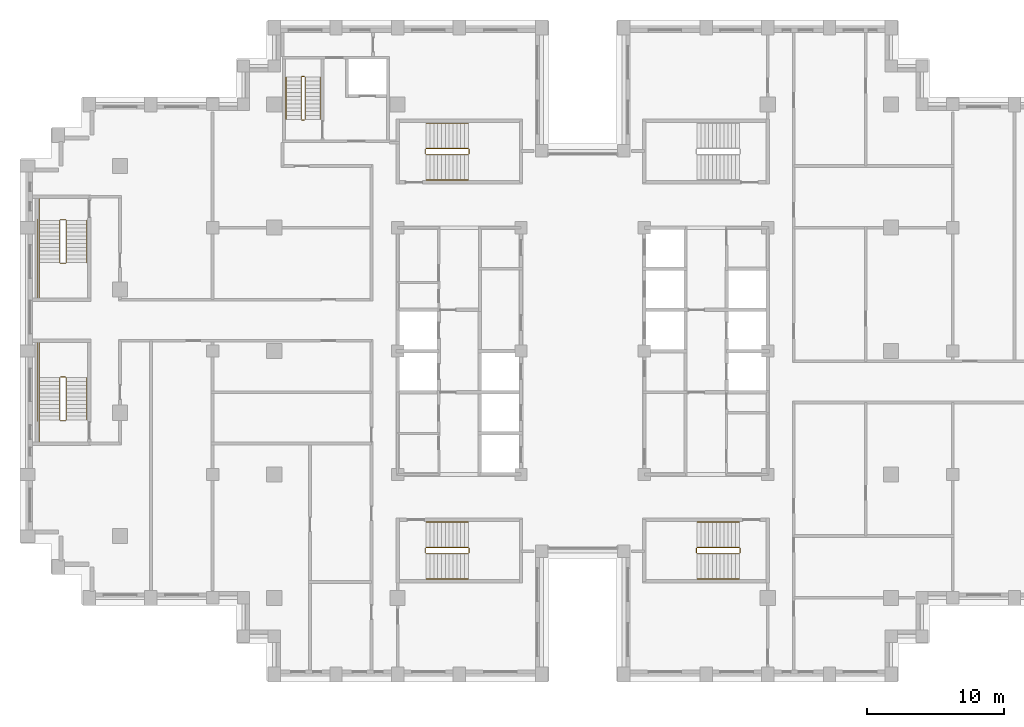
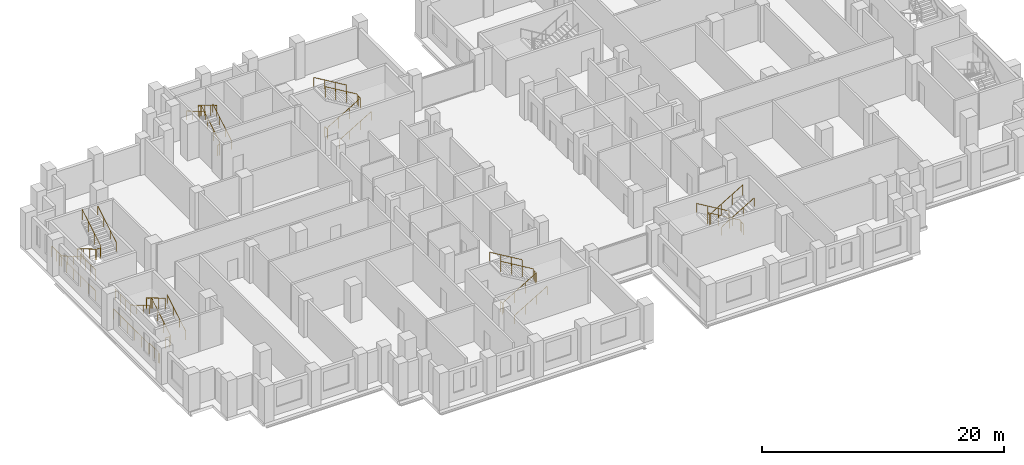
# One storey, part 14 of 15: 6 railings.
"""IFC4 building model written with IfcOpenShell, lengths in metres."""

from ifc_helpers import new_model, si_unit, direction, frame, origin, origin_2d, place, context, subcontext, project, spatial, circle, extrude, material, type_object, element, save


model = new_model("IFC4")

# Units and contexts
model_context = context("Model", 3, precision=1e-05, world=origin(), true_north=direction((0.0, 1.0)))
body_context = subcontext(model_context, "Body", "Model", "MODEL_VIEW")
ifc_project = project(units=[si_unit("LENGTHUNIT", "METRE"), si_unit("AREAUNIT", "SQUARE_METRE"), si_unit("VOLUMEUNIT", "CUBIC_METRE"), si_unit("PLANEANGLEUNIT", "RADIAN"), si_unit("MASSUNIT", "GRAM", prefix="KILO")], contexts=[model_context])

# Site, building, storey
site_placement = place(None, origin())
site = spatial("IfcSite", under=ifc_project, at=site_placement, CompositionType="ELEMENT")
building_placement = place(site_placement, origin())
building = spatial("IfcBuilding", under=site, at=building_placement, Name="Corbelhall Arena Tower", CompositionType="ELEMENT")
storey_placement = place(building_placement, frame((0.0, 0.0, 130.0)))
storey = spatial("IfcBuildingStorey", under=building, at=storey_placement, Name="L24", CompositionType="ELEMENT", Elevation=130.0)

# Railings
ifc_material = material(Name="Steel ASTM A500 Gr C", Category="steel")
railing_type = type_object("IfcRailingType", Name="IN-GD-1100", PredefinedType="GUARDRAIL", material=ifc_material)
railing_1_placement = place(storey_placement, frame((-11.425048828125, 14.324951171875, 0.166748046875)))
element("IfcRailing", 1, at=railing_1_placement, inside=storey, type_object=railing_type, Name="L24 ST1 stair guards and handrails", PredefinedType="GUARDRAIL", context=body_context, shape_type="SweptSolid", body=[
    extrude(circle(Radius=0.02392578125, at=origin_2d()), frame((0.0, 0.0, 1.076171875), z_axis=(0.859308565015, 0.0, 0.511457515432), x_axis=(0.0, 1.0, 0.0)), (0.0, 0.0, 1.0), 3.58447265625),
    extrude(circle(Radius=0.02392578125, at=origin_2d()), frame((3.130126953125, 0.050048828125, 2.9091796875), z_axis=(0.0, 1.0, 0.0), x_axis=(-1.0, 0.0, 0.0)), (0.0, 0.0, 1.0), 0.35009765625),
    extrude(circle(Radius=0.02392578125, at=origin_2d()), frame((3.080078125, 0.449951171875, 3.076171875), z_axis=(-0.859308565015, 0.0, 0.511457515432), x_axis=(0.0, -1.0, 0.0)), (0.0, 0.0, 1.0), 3.58447265625),
    extrude(circle(Radius=0.02392578125, at=origin_2d()), frame((-0.050048828125, 0.050048828125, 0.9091796875), z_axis=(0.0, 1.0, 0.0), x_axis=(-1.0, 0.0, 0.0)), (0.0, 0.0, 1.0), 0.35009765625),
    extrude(circle(Radius=0.02392578125, at=origin_2d()), frame((0.0, -1.849853515625, 0.8759765625), z_axis=(0.859308565015, 0.0, 0.511457515432), x_axis=(0.0, 1.0, 0.0)), (0.0, 0.0, 1.0), 3.58447265625),
    extrude(circle(Radius=0.02392578125, at=origin_2d()), frame((3.080078125, 2.300048828125, 2.8759765625), z_axis=(-0.859308565015, 0.0, 0.511457515432), x_axis=(0.0, -1.0, 0.0)), (0.0, 0.0, 1.0), 3.58447265625),
    extrude(circle(Radius=0.02099609375, at=origin_2d()), origin(), (0.0, 0.0, 1.0), 1.052001953125),
    extrude(circle(Radius=0.02099609375, at=origin_2d()), frame((1.026611328125, 0.0, 0.611083984375)), (0.0, 0.0, 1.0), 1.052001953125),
    extrude(circle(Radius=0.02099609375, at=origin_2d()), frame((2.053466796875, 0.0, 1.22216796875)), (0.0, 0.0, 1.0), 1.052001953125),
    extrude(circle(Radius=0.02099609375, at=origin_2d()), frame((3.080078125, 0.0, 1.833251953125)), (0.0, 0.0, 1.0), 1.052001953125),
    extrude(circle(Radius=0.02099609375, at=origin_2d()), frame((3.130126953125, 0.050048828125, 1.833251953125)), (0.0, 0.0, 1.0), 1.052001953125),
    extrude(circle(Radius=0.02099609375, at=origin_2d()), frame((3.130126953125, 0.400146484375, 1.833251953125)), (0.0, 0.0, 1.0), 1.052001953125),
    extrude(circle(Radius=0.02099609375, at=origin_2d()), frame((3.080078125, 0.449951171875, 2.0)), (0.0, 0.0, 1.0), 1.052001953125),
    extrude(circle(Radius=0.02099609375, at=origin_2d()), frame((2.053466796875, 0.449951171875, 2.611083984375)), (0.0, 0.0, 1.0), 1.052001953125),
    extrude(circle(Radius=0.02099609375, at=origin_2d()), frame((1.026611328125, 0.449951171875, 3.22216796875)), (0.0, 0.0, 1.0), 1.052001953125),
    extrude(circle(Radius=0.02099609375, at=origin_2d()), frame((0.0, 0.449951171875, 3.833251953125)), (0.0, 0.0, 1.0), 1.052001953125),
    extrude(circle(Radius=0.02099609375, at=origin_2d()), frame((-0.050048828125, 0.050048828125, -0.166748046875)), (0.0, 0.0, 1.0), 1.052001953125),
    extrude(circle(Radius=0.02099609375, at=origin_2d()), frame((-0.050048828125, 0.400146484375, -0.166748046875)), (0.0, 0.0, 1.0), 1.052001953125),
    extrude(circle(Radius=0.02099609375, at=origin_2d()), frame((0.0, -1.849853515625, 0.0)), (0.0, 0.0, 1.0), 0.851806640625),
    extrude(circle(Radius=0.02099609375, at=origin_2d()), frame((1.026611328125, -1.849853515625, 0.611083984375)), (0.0, 0.0, 1.0), 0.851806640625),
    extrude(circle(Radius=0.02099609375, at=origin_2d()), frame((2.053466796875, -1.849853515625, 1.22216796875)), (0.0, 0.0, 1.0), 0.851806640625),
    extrude(circle(Radius=0.02099609375, at=origin_2d()), frame((3.080078125, -1.849853515625, 1.833251953125)), (0.0, 0.0, 1.0), 0.851806640625),
    extrude(circle(Radius=0.02099609375, at=origin_2d()), frame((3.080078125, 2.300048828125, 2.0)), (0.0, 0.0, 1.0), 0.851806640625),
    extrude(circle(Radius=0.02099609375, at=origin_2d()), frame((2.053466796875, 2.300048828125, 2.611083984375)), (0.0, 0.0, 1.0), 0.851806640625),
    extrude(circle(Radius=0.02099609375, at=origin_2d()), frame((1.026611328125, 2.300048828125, 3.22216796875)), (0.0, 0.0, 1.0), 0.851806640625),
    extrude(circle(Radius=0.02099609375, at=origin_2d()), frame((0.0, 2.300048828125, 3.833251953125)), (0.0, 0.0, 1.0), 0.851806640625),
])
railing_2_placement = place(storey_placement, frame((-11.425048828125, -14.77490234375, 0.166748046875)))
element("IfcRailing", 2, at=railing_2_placement, inside=storey, type_object=railing_type, Name="L24 ST2 stair guards and handrails", PredefinedType="GUARDRAIL", context=body_context, shape_type="SweptSolid", body=[
    extrude(circle(Radius=0.02392578125, at=origin_2d()), frame((0.0, 0.0, 1.076171875), z_axis=(0.859308565015, 0.0, 0.511457515432), x_axis=(0.0, 1.0, 0.0)), (0.0, 0.0, 1.0), 3.58447265625),
    extrude(circle(Radius=0.02392578125, at=origin_2d()), frame((3.130126953125, 0.0498046875, 2.9091796875), z_axis=(0.0, 1.0, 0.0), x_axis=(-1.0, 0.0, 0.0)), (0.0, 0.0, 1.0), 0.35009765625),
    extrude(circle(Radius=0.02392578125, at=origin_2d()), frame((3.080078125, 0.449951171875, 3.076171875), z_axis=(-0.859308565015, 0.0, 0.511457515432), x_axis=(0.0, -1.0, 0.0)), (0.0, 0.0, 1.0), 3.58447265625),
    extrude(circle(Radius=0.02392578125, at=origin_2d()), frame((-0.050048828125, 0.0498046875, 0.9091796875), z_axis=(0.0, 1.0, 0.0), x_axis=(-1.0, 0.0, 0.0)), (0.0, 0.0, 1.0), 0.35009765625),
    extrude(circle(Radius=0.02392578125, at=origin_2d()), frame((0.0, -1.85009765625, 0.8759765625), z_axis=(0.859308565015, 0.0, 0.511457515432), x_axis=(0.0, 1.0, 0.0)), (0.0, 0.0, 1.0), 3.58447265625),
    extrude(circle(Radius=0.02392578125, at=origin_2d()), frame((3.080078125, 2.2998046875, 2.8759765625), z_axis=(-0.859308565015, 0.0, 0.511457515432), x_axis=(0.0, -1.0, 0.0)), (0.0, 0.0, 1.0), 3.58447265625),
    extrude(circle(Radius=0.02099609375, at=origin_2d()), origin(), (0.0, 0.0, 1.0), 1.052001953125),
    extrude(circle(Radius=0.02099609375, at=origin_2d()), frame((1.026611328125, 0.0, 0.611083984375)), (0.0, 0.0, 1.0), 1.052001953125),
    extrude(circle(Radius=0.02099609375, at=origin_2d()), frame((2.053466796875, 0.0, 1.22216796875)), (0.0, 0.0, 1.0), 1.052001953125),
    extrude(circle(Radius=0.02099609375, at=origin_2d()), frame((3.080078125, 0.0, 1.833251953125)), (0.0, 0.0, 1.0), 1.052001953125),
    extrude(circle(Radius=0.02099609375, at=origin_2d()), frame((3.130126953125, 0.0498046875, 1.833251953125)), (0.0, 0.0, 1.0), 1.052001953125),
    extrude(circle(Radius=0.02099609375, at=origin_2d()), frame((3.130126953125, 0.39990234375, 1.833251953125)), (0.0, 0.0, 1.0), 1.052001953125),
    extrude(circle(Radius=0.02099609375, at=origin_2d()), frame((3.080078125, 0.449951171875, 2.0)), (0.0, 0.0, 1.0), 1.052001953125),
    extrude(circle(Radius=0.02099609375, at=origin_2d()), frame((2.053466796875, 0.449951171875, 2.611083984375)), (0.0, 0.0, 1.0), 1.052001953125),
    extrude(circle(Radius=0.02099609375, at=origin_2d()), frame((1.026611328125, 0.449951171875, 3.22216796875)), (0.0, 0.0, 1.0), 1.052001953125),
    extrude(circle(Radius=0.02099609375, at=origin_2d()), frame((0.0, 0.449951171875, 3.833251953125)), (0.0, 0.0, 1.0), 1.052001953125),
    extrude(circle(Radius=0.02099609375, at=origin_2d()), frame((-0.050048828125, 0.0498046875, -0.166748046875)), (0.0, 0.0, 1.0), 1.052001953125),
    extrude(circle(Radius=0.02099609375, at=origin_2d()), frame((-0.050048828125, 0.39990234375, -0.166748046875)), (0.0, 0.0, 1.0), 1.052001953125),
    extrude(circle(Radius=0.02099609375, at=origin_2d()), frame((0.0, -1.85009765625, 0.0)), (0.0, 0.0, 1.0), 0.851806640625),
    extrude(circle(Radius=0.02099609375, at=origin_2d()), frame((1.026611328125, -1.85009765625, 0.611083984375)), (0.0, 0.0, 1.0), 0.851806640625),
    extrude(circle(Radius=0.02099609375, at=origin_2d()), frame((2.053466796875, -1.85009765625, 1.22216796875)), (0.0, 0.0, 1.0), 0.851806640625),
    extrude(circle(Radius=0.02099609375, at=origin_2d()), frame((3.080078125, -1.85009765625, 1.833251953125)), (0.0, 0.0, 1.0), 0.851806640625),
    extrude(circle(Radius=0.02099609375, at=origin_2d()), frame((3.080078125, 2.2998046875, 2.0)), (0.0, 0.0, 1.0), 0.851806640625),
    extrude(circle(Radius=0.02099609375, at=origin_2d()), frame((2.053466796875, 2.2998046875, 2.611083984375)), (0.0, 0.0, 1.0), 0.851806640625),
    extrude(circle(Radius=0.02099609375, at=origin_2d()), frame((1.026611328125, 2.2998046875, 3.22216796875)), (0.0, 0.0, 1.0), 0.851806640625),
    extrude(circle(Radius=0.02099609375, at=origin_2d()), frame((0.0, 2.2998046875, 3.833251953125)), (0.0, 0.0, 1.0), 0.851806640625),
])
railing_3_placement = place(storey_placement, frame((11.425048828125, -14.324951171875, 0.166748046875)))
element("IfcRailing", 3, at=railing_3_placement, inside=storey, type_object=railing_type, Name="L24 ST4 stair guards and handrails", PredefinedType="GUARDRAIL", context=body_context, shape_type="SweptSolid", body=[
    extrude(circle(Radius=0.02392578125, at=origin_2d()), frame((0.0, 0.0, 1.076171875), z_axis=(-0.859308565015, 0.0, 0.511457515432), x_axis=(0.0, -1.0, 0.0)), (0.0, 0.0, 1.0), 3.58447265625),
    extrude(circle(Radius=0.02392578125, at=origin_2d()), frame((-3.130126953125, -0.050048828125, 2.9091796875), z_axis=(0.0, -1.0, 0.0), x_axis=(1.0, 0.0, 0.0)), (0.0, 0.0, 1.0), 0.35009765625),
    extrude(circle(Radius=0.02392578125, at=origin_2d()), frame((-3.080078125, -0.449951171875, 3.076171875), z_axis=(0.859308565015, 0.0, 0.511457515432), x_axis=(0.0, 1.0, 0.0)), (0.0, 0.0, 1.0), 3.58447265625),
    extrude(circle(Radius=0.02392578125, at=origin_2d()), frame((0.050048828125, -0.050048828125, 0.9091796875), z_axis=(0.0, -1.0, 0.0), x_axis=(1.0, 0.0, 0.0)), (0.0, 0.0, 1.0), 0.35009765625),
    extrude(circle(Radius=0.02392578125, at=origin_2d()), frame((0.0, 1.849853515625, 0.8759765625), z_axis=(-0.859308565015, 0.0, 0.511457515432), x_axis=(0.0, -1.0, 0.0)), (0.0, 0.0, 1.0), 3.58447265625),
    extrude(circle(Radius=0.02392578125, at=origin_2d()), frame((-3.080078125, -2.300048828125, 2.8759765625), z_axis=(0.859308565015, 0.0, 0.511457515432), x_axis=(0.0, 1.0, 0.0)), (0.0, 0.0, 1.0), 3.58447265625),
    extrude(circle(Radius=0.02099609375, at=origin_2d()), origin(), (0.0, 0.0, 1.0), 1.052001953125),
    extrude(circle(Radius=0.02099609375, at=origin_2d()), frame((-1.026611328125, 0.0, 0.611083984375)), (0.0, 0.0, 1.0), 1.052001953125),
    extrude(circle(Radius=0.02099609375, at=origin_2d()), frame((-2.053466796875, 0.0, 1.22216796875)), (0.0, 0.0, 1.0), 1.052001953125),
    extrude(circle(Radius=0.02099609375, at=origin_2d()), frame((-3.080078125, 0.0, 1.833251953125)), (0.0, 0.0, 1.0), 1.052001953125),
    extrude(circle(Radius=0.02099609375, at=origin_2d()), frame((-3.130126953125, -0.050048828125, 1.833251953125)), (0.0, 0.0, 1.0), 1.052001953125),
    extrude(circle(Radius=0.02099609375, at=origin_2d()), frame((-3.130126953125, -0.400146484375, 1.833251953125)), (0.0, 0.0, 1.0), 1.052001953125),
    extrude(circle(Radius=0.02099609375, at=origin_2d()), frame((-3.080078125, -0.449951171875, 2.0)), (0.0, 0.0, 1.0), 1.052001953125),
    extrude(circle(Radius=0.02099609375, at=origin_2d()), frame((-2.053466796875, -0.449951171875, 2.611083984375)), (0.0, 0.0, 1.0), 1.052001953125),
    extrude(circle(Radius=0.02099609375, at=origin_2d()), frame((-1.026611328125, -0.449951171875, 3.22216796875)), (0.0, 0.0, 1.0), 1.052001953125),
    extrude(circle(Radius=0.02099609375, at=origin_2d()), frame((0.0, -0.449951171875, 3.833251953125)), (0.0, 0.0, 1.0), 1.052001953125),
    extrude(circle(Radius=0.02099609375, at=origin_2d()), frame((0.050048828125, -0.050048828125, -0.166748046875)), (0.0, 0.0, 1.0), 1.052001953125),
    extrude(circle(Radius=0.02099609375, at=origin_2d()), frame((0.050048828125, -0.400146484375, -0.166748046875)), (0.0, 0.0, 1.0), 1.052001953125),
    extrude(circle(Radius=0.02099609375, at=origin_2d()), frame((0.0, 1.849853515625, 0.0)), (0.0, 0.0, 1.0), 0.851806640625),
    extrude(circle(Radius=0.02099609375, at=origin_2d()), frame((-1.026611328125, 1.849853515625, 0.611083984375)), (0.0, 0.0, 1.0), 0.851806640625),
    extrude(circle(Radius=0.02099609375, at=origin_2d()), frame((-2.053466796875, 1.849853515625, 1.22216796875)), (0.0, 0.0, 1.0), 0.851806640625),
    extrude(circle(Radius=0.02099609375, at=origin_2d()), frame((-3.080078125, 1.849853515625, 1.833251953125)), (0.0, 0.0, 1.0), 0.851806640625),
    extrude(circle(Radius=0.02099609375, at=origin_2d()), frame((-3.080078125, -2.300048828125, 2.0)), (0.0, 0.0, 1.0), 0.851806640625),
    extrude(circle(Radius=0.02099609375, at=origin_2d()), frame((-2.053466796875, -2.300048828125, 2.611083984375)), (0.0, 0.0, 1.0), 0.851806640625),
    extrude(circle(Radius=0.02099609375, at=origin_2d()), frame((-1.026611328125, -2.300048828125, 3.22216796875)), (0.0, 0.0, 1.0), 0.851806640625),
    extrude(circle(Radius=0.02099609375, at=origin_2d()), frame((0.0, -2.300048828125, 3.833251953125)), (0.0, 0.0, 1.0), 0.851806640625),
])
railing_4_placement = place(storey_placement, frame((-38.14990234375, 9.52490234375, 0.166748046875)))
element("IfcRailing", 4, at=railing_4_placement, inside=storey, type_object=railing_type, Name="L24 SC1 stair guards and handrails", PredefinedType="GUARDRAIL", context=body_context, shape_type="SweptSolid", body=[
    extrude(circle(Radius=0.02392578125, at=origin_2d()), frame((0.0, 0.0, 1.076171875), z_axis=(0.0, -0.859290745958, 0.51148745235), x_axis=(1.0, 0.0, 0.0)), (0.0, 0.0, 1.0), 3.584228515625),
    extrude(circle(Radius=0.02392578125, at=origin_2d()), frame((0.0498046875, -3.1298828125, 2.9091796875), z_axis=(1.0, 0.0, 0.0), x_axis=(0.0, 1.0, 0.0)), (0.0, 0.0, 1.0), 0.375),
    extrude(circle(Radius=0.02392578125, at=origin_2d()), frame((-1.5, -3.079833984375, 2.9091796875), z_axis=(0.0, -1.0, 0.0), x_axis=(1.0, 0.0, 0.0)), (0.0, 0.0, 1.0), 2.570068359375),
    extrude(circle(Radius=0.02392578125, at=origin_2d()), frame((0.474853515625, -3.079833984375, 3.076171875), z_axis=(0.0, 0.859290745958, 0.51148745235), x_axis=(-1.0, 0.0, 0.0)), (0.0, 0.0, 1.0), 3.584228515625),
    extrude(circle(Radius=0.02392578125, at=origin_2d()), frame((0.0498046875, 0.050048828125, 0.9091796875), z_axis=(1.0, 0.0, 0.0), x_axis=(0.0, 1.0, 0.0)), (0.0, 0.0, 1.0), 0.375),
    extrude(circle(Radius=0.02392578125, at=origin_2d()), frame((-1.5, 1.60009765625, 0.9091796875), z_axis=(0.0, -1.0, 0.0), x_axis=(1.0, 0.0, 0.0)), (0.0, 0.0, 1.0), 1.60009765625),
    extrude(circle(Radius=0.02392578125, at=origin_2d()), frame((-1.60009765625, 0.10009765625, 0.9091796875), z_axis=(0.0, -1.0, 0.0), x_axis=(1.0, 0.0, 0.0)), (0.0, 0.0, 1.0), 5.85009765625),
    extrude(circle(Radius=0.02392578125, at=origin_2d()), frame((-1.5, 0.0, 0.8759765625), z_axis=(0.0, -0.859290745958, 0.51148745235), x_axis=(1.0, 0.0, 0.0)), (0.0, 0.0, 1.0), 3.584228515625),
    extrude(circle(Radius=0.02392578125, at=origin_2d()), frame((1.974853515625, -3.079833984375, 2.8759765625), z_axis=(0.0, 0.859290745958, 0.51148745235), x_axis=(-1.0, 0.0, 0.0)), (0.0, 0.0, 1.0), 3.584228515625),
    extrude(circle(Radius=0.02099609375, at=origin_2d()), origin(), (0.0, 0.0, 1.0), 1.052001953125),
    extrude(circle(Radius=0.02099609375, at=origin_2d()), frame((0.0, -1.026611328125, 0.611083984375)), (0.0, 0.0, 1.0), 1.052001953125),
    extrude(circle(Radius=0.02099609375, at=origin_2d()), frame((0.0, -2.05322265625, 1.22216796875)), (0.0, 0.0, 1.0), 1.052001953125),
    extrude(circle(Radius=0.02099609375, at=origin_2d()), frame((0.0, -3.079833984375, 1.833251953125)), (0.0, 0.0, 1.0), 1.052001953125),
    extrude(circle(Radius=0.02099609375, at=origin_2d()), frame((0.0498046875, -3.1298828125, 1.833251953125)), (0.0, 0.0, 1.0), 1.052001953125),
    extrude(circle(Radius=0.02099609375, at=origin_2d()), frame((0.4248046875, -3.1298828125, 1.833251953125)), (0.0, 0.0, 1.0), 1.052001953125),
    extrude(circle(Radius=0.02099609375, at=origin_2d()), frame((-1.5, -3.079833984375, 1.833251953125)), (0.0, 0.0, 1.0), 1.052001953125),
    extrude(circle(Radius=0.02099609375, at=origin_2d()), frame((-1.5, -3.9365234375, 1.833251953125)), (0.0, 0.0, 1.0), 1.052001953125),
    extrude(circle(Radius=0.02099609375, at=origin_2d()), frame((-1.5, -4.793212890625, 1.833251953125)), (0.0, 0.0, 1.0), 1.052001953125),
    extrude(circle(Radius=0.02099609375, at=origin_2d()), frame((-1.5, -5.64990234375, 1.833251953125)), (0.0, 0.0, 1.0), 1.052001953125),
    extrude(circle(Radius=0.02099609375, at=origin_2d()), frame((0.474853515625, -3.079833984375, 2.0)), (0.0, 0.0, 1.0), 1.052001953125),
    extrude(circle(Radius=0.02099609375, at=origin_2d()), frame((0.474853515625, -2.05322265625, 2.611083984375)), (0.0, 0.0, 1.0), 1.052001953125),
    extrude(circle(Radius=0.02099609375, at=origin_2d()), frame((0.474853515625, -1.026611328125, 3.22216796875)), (0.0, 0.0, 1.0), 1.052001953125),
    extrude(circle(Radius=0.02099609375, at=origin_2d()), frame((0.474853515625, 0.0, 3.833251953125)), (0.0, 0.0, 1.0), 1.052001953125),
    extrude(circle(Radius=0.02099609375, at=origin_2d()), frame((0.0498046875, 0.050048828125, -0.166748046875)), (0.0, 0.0, 1.0), 1.052001953125),
    extrude(circle(Radius=0.02099609375, at=origin_2d()), frame((0.4248046875, 0.050048828125, -0.166748046875)), (0.0, 0.0, 1.0), 1.052001953125),
    extrude(circle(Radius=0.02099609375, at=origin_2d()), frame((-1.5, 1.60009765625, -0.166748046875)), (0.0, 0.0, 1.0), 1.052001953125),
    extrude(circle(Radius=0.02099609375, at=origin_2d()), frame((-1.5, 0.800048828125, -0.166748046875)), (0.0, 0.0, 1.0), 1.052001953125),
    extrude(circle(Radius=0.02099609375, at=origin_2d()), frame((-1.5, 0.0, -0.166748046875)), (0.0, 0.0, 1.0), 1.052001953125),
    extrude(circle(Radius=0.02099609375, at=origin_2d()), frame((-1.60009765625, 0.10009765625, -0.166748046875)), (0.0, 0.0, 1.0), 1.052001953125),
    extrude(circle(Radius=0.02099609375, at=origin_2d()), frame((-1.60009765625, -1.06982421875, -0.166748046875)), (0.0, 0.0, 1.0), 1.052001953125),
    extrude(circle(Radius=0.02099609375, at=origin_2d()), frame((-1.60009765625, -2.239990234375, -0.166748046875)), (0.0, 0.0, 1.0), 1.052001953125),
    extrude(circle(Radius=0.02099609375, at=origin_2d()), frame((-1.60009765625, -3.409912109375, -0.166748046875)), (0.0, 0.0, 1.0), 1.052001953125),
    extrude(circle(Radius=0.02099609375, at=origin_2d()), frame((-1.60009765625, -4.580078125, -0.166748046875)), (0.0, 0.0, 1.0), 1.052001953125),
    extrude(circle(Radius=0.02099609375, at=origin_2d()), frame((-1.60009765625, -5.75, -0.166748046875)), (0.0, 0.0, 1.0), 1.052001953125),
    extrude(circle(Radius=0.02099609375, at=origin_2d()), frame((-1.5, 0.0, 0.0)), (0.0, 0.0, 1.0), 0.851806640625),
    extrude(circle(Radius=0.02099609375, at=origin_2d()), frame((-1.5, -1.026611328125, 0.611083984375)), (0.0, 0.0, 1.0), 0.851806640625),
    extrude(circle(Radius=0.02099609375, at=origin_2d()), frame((-1.5, -2.05322265625, 1.22216796875)), (0.0, 0.0, 1.0), 0.851806640625),
    extrude(circle(Radius=0.02099609375, at=origin_2d()), frame((1.974853515625, -3.079833984375, 2.0)), (0.0, 0.0, 1.0), 0.851806640625),
    extrude(circle(Radius=0.02099609375, at=origin_2d()), frame((1.974853515625, -2.05322265625, 2.611083984375)), (0.0, 0.0, 1.0), 0.851806640625),
    extrude(circle(Radius=0.02099609375, at=origin_2d()), frame((1.974853515625, -1.026611328125, 3.22216796875)), (0.0, 0.0, 1.0), 0.851806640625),
    extrude(circle(Radius=0.02099609375, at=origin_2d()), frame((1.974853515625, 0.0, 3.833251953125)), (0.0, 0.0, 1.0), 0.851806640625),
])
railing_5_placement = place(storey_placement, frame((-37.675048828125, -5.02490234375, 0.166748046875)))
element("IfcRailing", 5, at=railing_5_placement, inside=storey, type_object=railing_type, Name="L24 SC2 stair guards and handrails", PredefinedType="GUARDRAIL", context=body_context, shape_type="SweptSolid", body=[
    extrude(circle(Radius=0.02392578125, at=origin_2d()), frame((0.0, 0.0, 1.076171875), z_axis=(0.0, 0.859290745958, 0.51148745235), x_axis=(-1.0, 0.0, 0.0)), (0.0, 0.0, 1.0), 3.584228515625),
    extrude(circle(Radius=0.02392578125, at=origin_2d()), frame((-0.050048828125, 3.1298828125, 2.9091796875), z_axis=(-1.0, 0.0, 0.0), x_axis=(0.0, -1.0, 0.0)), (0.0, 0.0, 1.0), 0.375),
    extrude(circle(Radius=0.02392578125, at=origin_2d()), frame((-1.974853515625, 3.079833984375, 2.9091796875), z_axis=(0.0, 1.0, 0.0), x_axis=(-1.0, 0.0, 0.0)), (0.0, 0.0, 1.0), 2.570068359375),
    extrude(circle(Radius=0.02392578125, at=origin_2d()), frame((-0.474853515625, 3.079833984375, 3.076171875), z_axis=(0.0, -0.859290745958, 0.51148745235), x_axis=(1.0, 0.0, 0.0)), (0.0, 0.0, 1.0), 3.584228515625),
    extrude(circle(Radius=0.02392578125, at=origin_2d()), frame((-0.050048828125, -0.050048828125, 0.9091796875), z_axis=(-1.0, 0.0, 0.0), x_axis=(0.0, -1.0, 0.0)), (0.0, 0.0, 1.0), 0.375),
    extrude(circle(Radius=0.02392578125, at=origin_2d()), frame((-1.974853515625, -1.60009765625, 0.9091796875), z_axis=(0.0, 1.0, 0.0), x_axis=(-1.0, 0.0, 0.0)), (0.0, 0.0, 1.0), 1.60009765625),
    extrude(circle(Radius=0.02392578125, at=origin_2d()), frame((-2.074951171875, -0.10009765625, 0.9091796875), z_axis=(0.0, 1.0, 0.0), x_axis=(-1.0, 0.0, 0.0)), (0.0, 0.0, 1.0), 5.85009765625),
    extrude(circle(Radius=0.02392578125, at=origin_2d()), frame((1.5, 0.0, 0.8759765625), z_axis=(0.0, 0.859290745958, 0.51148745235), x_axis=(-1.0, 0.0, 0.0)), (0.0, 0.0, 1.0), 3.584228515625),
    extrude(circle(Radius=0.02392578125, at=origin_2d()), frame((-1.974853515625, 3.079833984375, 2.8759765625), z_axis=(0.0, -0.859290745958, 0.51148745235), x_axis=(1.0, 0.0, 0.0)), (0.0, 0.0, 1.0), 3.584228515625),
    extrude(circle(Radius=0.02099609375, at=origin_2d()), origin(), (0.0, 0.0, 1.0), 1.052001953125),
    extrude(circle(Radius=0.02099609375, at=origin_2d()), frame((0.0, 1.026611328125, 0.611083984375)), (0.0, 0.0, 1.0), 1.052001953125),
    extrude(circle(Radius=0.02099609375, at=origin_2d()), frame((0.0, 2.05322265625, 1.22216796875)), (0.0, 0.0, 1.0), 1.052001953125),
    extrude(circle(Radius=0.02099609375, at=origin_2d()), frame((0.0, 3.079833984375, 1.833251953125)), (0.0, 0.0, 1.0), 1.052001953125),
    extrude(circle(Radius=0.02099609375, at=origin_2d()), frame((-0.050048828125, 3.1298828125, 1.833251953125)), (0.0, 0.0, 1.0), 1.052001953125),
    extrude(circle(Radius=0.02099609375, at=origin_2d()), frame((-0.425048828125, 3.1298828125, 1.833251953125)), (0.0, 0.0, 1.0), 1.052001953125),
    extrude(circle(Radius=0.02099609375, at=origin_2d()), frame((-1.974853515625, 3.079833984375, 1.833251953125)), (0.0, 0.0, 1.0), 1.052001953125),
    extrude(circle(Radius=0.02099609375, at=origin_2d()), frame((-1.974853515625, 3.9365234375, 1.833251953125)), (0.0, 0.0, 1.0), 1.052001953125),
    extrude(circle(Radius=0.02099609375, at=origin_2d()), frame((-1.974853515625, 4.793212890625, 1.833251953125)), (0.0, 0.0, 1.0), 1.052001953125),
    extrude(circle(Radius=0.02099609375, at=origin_2d()), frame((-1.974853515625, 5.64990234375, 1.833251953125)), (0.0, 0.0, 1.0), 1.052001953125),
    extrude(circle(Radius=0.02099609375, at=origin_2d()), frame((-0.474853515625, 3.079833984375, 2.0)), (0.0, 0.0, 1.0), 1.052001953125),
    extrude(circle(Radius=0.02099609375, at=origin_2d()), frame((-0.474853515625, 2.05322265625, 2.611083984375)), (0.0, 0.0, 1.0), 1.052001953125),
    extrude(circle(Radius=0.02099609375, at=origin_2d()), frame((-0.474853515625, 1.026611328125, 3.22216796875)), (0.0, 0.0, 1.0), 1.052001953125),
    extrude(circle(Radius=0.02099609375, at=origin_2d()), frame((-0.474853515625, 0.0, 3.833251953125)), (0.0, 0.0, 1.0), 1.052001953125),
    extrude(circle(Radius=0.02099609375, at=origin_2d()), frame((-0.050048828125, -0.050048828125, -0.166748046875)), (0.0, 0.0, 1.0), 1.052001953125),
    extrude(circle(Radius=0.02099609375, at=origin_2d()), frame((-0.425048828125, -0.050048828125, -0.166748046875)), (0.0, 0.0, 1.0), 1.052001953125),
    extrude(circle(Radius=0.02099609375, at=origin_2d()), frame((-1.974853515625, -1.60009765625, -0.166748046875)), (0.0, 0.0, 1.0), 1.052001953125),
    extrude(circle(Radius=0.02099609375, at=origin_2d()), frame((-1.974853515625, -0.800048828125, -0.166748046875)), (0.0, 0.0, 1.0), 1.052001953125),
    extrude(circle(Radius=0.02099609375, at=origin_2d()), frame((-1.974853515625, 0.0, -0.166748046875)), (0.0, 0.0, 1.0), 1.052001953125),
    extrude(circle(Radius=0.02099609375, at=origin_2d()), frame((-2.074951171875, -0.10009765625, -0.166748046875)), (0.0, 0.0, 1.0), 1.052001953125),
    extrude(circle(Radius=0.02099609375, at=origin_2d()), frame((-2.074951171875, 1.06982421875, -0.166748046875)), (0.0, 0.0, 1.0), 1.052001953125),
    extrude(circle(Radius=0.02099609375, at=origin_2d()), frame((-2.074951171875, 2.239990234375, -0.166748046875)), (0.0, 0.0, 1.0), 1.052001953125),
    extrude(circle(Radius=0.02099609375, at=origin_2d()), frame((-2.074951171875, 3.409912109375, -0.166748046875)), (0.0, 0.0, 1.0), 1.052001953125),
    extrude(circle(Radius=0.02099609375, at=origin_2d()), frame((-2.074951171875, 4.580078125, -0.166748046875)), (0.0, 0.0, 1.0), 1.052001953125),
    extrude(circle(Radius=0.02099609375, at=origin_2d()), frame((-2.074951171875, 5.75, -0.166748046875)), (0.0, 0.0, 1.0), 1.052001953125),
    extrude(circle(Radius=0.02099609375, at=origin_2d()), frame((1.5, 0.0, 0.0)), (0.0, 0.0, 1.0), 0.851806640625),
    extrude(circle(Radius=0.02099609375, at=origin_2d()), frame((1.5, 1.026611328125, 0.611083984375)), (0.0, 0.0, 1.0), 0.851806640625),
    extrude(circle(Radius=0.02099609375, at=origin_2d()), frame((1.5, 2.05322265625, 1.22216796875)), (0.0, 0.0, 1.0), 0.851806640625),
    extrude(circle(Radius=0.02099609375, at=origin_2d()), frame((1.5, 3.079833984375, 1.833251953125)), (0.0, 0.0, 1.0), 0.851806640625),
    extrude(circle(Radius=0.02099609375, at=origin_2d()), frame((-1.974853515625, 3.079833984375, 2.0)), (0.0, 0.0, 1.0), 0.851806640625),
    extrude(circle(Radius=0.02099609375, at=origin_2d()), frame((-1.974853515625, 2.05322265625, 2.611083984375)), (0.0, 0.0, 1.0), 0.851806640625),
    extrude(circle(Radius=0.02099609375, at=origin_2d()), frame((-1.974853515625, 1.026611328125, 3.22216796875)), (0.0, 0.0, 1.0), 0.851806640625),
    extrude(circle(Radius=0.02099609375, at=origin_2d()), frame((-1.974853515625, 0.0, 3.833251953125)), (0.0, 0.0, 1.0), 0.851806640625),
])
railing_6_placement = place(storey_placement, frame((-20.2451171875, 16.89990234375, 0.166748046875)))
element("IfcRailing", 6, at=railing_6_placement, inside=storey, type_object=railing_type, Name="L24 ST5 stair guards and handrails", PredefinedType="GUARDRAIL", context=body_context, shape_type="SweptSolid", body=[
    extrude(circle(Radius=0.02392578125, at=origin_2d()), frame((0.0, 0.0, 1.076171875), z_axis=(0.0, 0.859308565015, 0.511457515432), x_axis=(-1.0, 0.0, 0.0)), (0.0, 0.0, 1.0), 3.58447265625),
    extrude(circle(Radius=0.02392578125, at=origin_2d()), frame((-0.0498046875, 3.130126953125, 2.9091796875), z_axis=(-1.0, 0.0, 0.0), x_axis=(0.0, -1.0, 0.0)), (0.0, 0.0, 1.0), 0.2001953125),
    extrude(circle(Radius=0.02392578125, at=origin_2d()), frame((-0.2998046875, 3.080078125, 3.076171875), z_axis=(0.0, -0.859308565015, 0.511457515432), x_axis=(1.0, 0.0, 0.0)), (0.0, 0.0, 1.0), 3.58447265625),
    extrude(circle(Radius=0.02392578125, at=origin_2d()), frame((-0.0498046875, -0.0498046875, 0.9091796875), z_axis=(-1.0, 0.0, 0.0), x_axis=(0.0, -1.0, 0.0)), (0.0, 0.0, 1.0), 0.2001953125),
    extrude(circle(Radius=0.02392578125, at=origin_2d()), frame((1.10009765625, 0.0, 0.8759765625), z_axis=(0.0, 0.859308565015, 0.511457515432), x_axis=(-1.0, 0.0, 0.0)), (0.0, 0.0, 1.0), 3.58447265625),
    extrude(circle(Radius=0.02392578125, at=origin_2d()), frame((-1.39990234375, 3.080078125, 2.8759765625), z_axis=(0.0, -0.859308565015, 0.511457515432), x_axis=(1.0, 0.0, 0.0)), (0.0, 0.0, 1.0), 3.58447265625),
    extrude(circle(Radius=0.02099609375, at=origin_2d()), origin(), (0.0, 0.0, 1.0), 1.052001953125),
    extrude(circle(Radius=0.02099609375, at=origin_2d()), frame((0.0, 1.026611328125, 0.611083984375)), (0.0, 0.0, 1.0), 1.052001953125),
    extrude(circle(Radius=0.02099609375, at=origin_2d()), frame((0.0, 2.053466796875, 1.22216796875)), (0.0, 0.0, 1.0), 1.052001953125),
    extrude(circle(Radius=0.02099609375, at=origin_2d()), frame((0.0, 3.080078125, 1.833251953125)), (0.0, 0.0, 1.0), 1.052001953125),
    extrude(circle(Radius=0.02099609375, at=origin_2d()), frame((-0.0498046875, 3.130126953125, 1.833251953125)), (0.0, 0.0, 1.0), 1.052001953125),
    extrude(circle(Radius=0.02099609375, at=origin_2d()), frame((-0.25, 3.130126953125, 1.833251953125)), (0.0, 0.0, 1.0), 1.052001953125),
    extrude(circle(Radius=0.02099609375, at=origin_2d()), frame((-0.2998046875, 3.080078125, 2.0)), (0.0, 0.0, 1.0), 1.052001953125),
    extrude(circle(Radius=0.02099609375, at=origin_2d()), frame((-0.2998046875, 2.053466796875, 2.611083984375)), (0.0, 0.0, 1.0), 1.052001953125),
    extrude(circle(Radius=0.02099609375, at=origin_2d()), frame((-0.2998046875, 1.026611328125, 3.22216796875)), (0.0, 0.0, 1.0), 1.052001953125),
    extrude(circle(Radius=0.02099609375, at=origin_2d()), frame((-0.2998046875, 0.0, 3.833251953125)), (0.0, 0.0, 1.0), 1.052001953125),
    extrude(circle(Radius=0.02099609375, at=origin_2d()), frame((-0.0498046875, -0.0498046875, -0.166748046875)), (0.0, 0.0, 1.0), 1.052001953125),
    extrude(circle(Radius=0.02099609375, at=origin_2d()), frame((-0.25, -0.0498046875, -0.166748046875)), (0.0, 0.0, 1.0), 1.052001953125),
    extrude(circle(Radius=0.02099609375, at=origin_2d()), frame((1.10009765625, 0.0, 0.0)), (0.0, 0.0, 1.0), 0.851806640625),
    extrude(circle(Radius=0.02099609375, at=origin_2d()), frame((1.10009765625, 1.026611328125, 0.611083984375)), (0.0, 0.0, 1.0), 0.851806640625),
    extrude(circle(Radius=0.02099609375, at=origin_2d()), frame((1.10009765625, 2.053466796875, 1.22216796875)), (0.0, 0.0, 1.0), 0.851806640625),
    extrude(circle(Radius=0.02099609375, at=origin_2d()), frame((1.10009765625, 3.080078125, 1.833251953125)), (0.0, 0.0, 1.0), 0.851806640625),
    extrude(circle(Radius=0.02099609375, at=origin_2d()), frame((-1.39990234375, 3.080078125, 2.0)), (0.0, 0.0, 1.0), 0.851806640625),
    extrude(circle(Radius=0.02099609375, at=origin_2d()), frame((-1.39990234375, 2.053466796875, 2.611083984375)), (0.0, 0.0, 1.0), 0.851806640625),
    extrude(circle(Radius=0.02099609375, at=origin_2d()), frame((-1.39990234375, 1.026611328125, 3.22216796875)), (0.0, 0.0, 1.0), 0.851806640625),
    extrude(circle(Radius=0.02099609375, at=origin_2d()), frame((-1.39990234375, 0.0, 3.833251953125)), (0.0, 0.0, 1.0), 0.851806640625),
])

save(model, "model.ifc")
